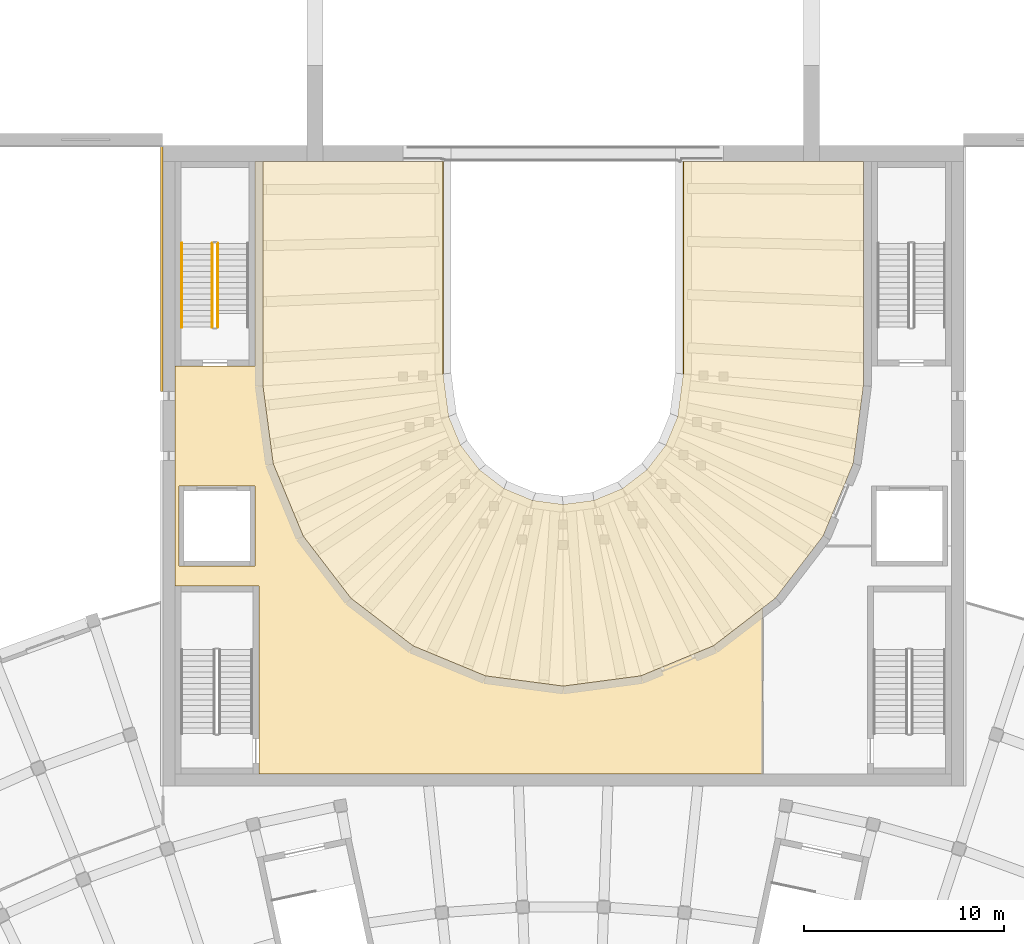
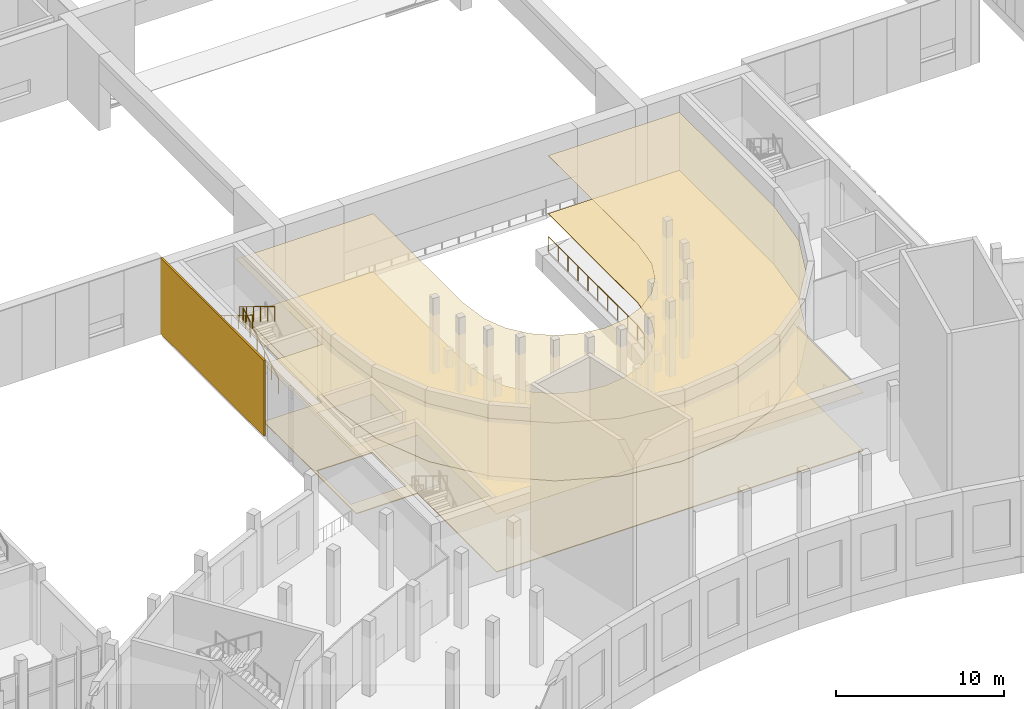
# One storey, part 68 of 87: 5 coverings, 4 railings.
"""IFC4 building model written with IfcOpenShell, lengths in metres."""

from ifc_helpers import new_model, si_unit, direction, frame, origin, origin_2d, place, context, subcontext, project, spatial, polyline, rectangle, circle, outline, extrude, material, layer, layer_set, type_object, element, save


model = new_model("IFC4")

# Units and contexts
model_context = context("Model", 3, precision=1e-05, world=origin(), true_north=direction((0.0, 1.0)))
body_context = subcontext(model_context, "Body", "Model", "MODEL_VIEW")
ifc_project = project(units=[si_unit("LENGTHUNIT", "METRE"), si_unit("AREAUNIT", "SQUARE_METRE"), si_unit("VOLUMEUNIT", "CUBIC_METRE"), si_unit("PLANEANGLEUNIT", "RADIAN"), si_unit("MASSUNIT", "GRAM", prefix="KILO")], contexts=[model_context])

# Site, building, storey
site_placement = place(None, origin())
site = spatial("IfcSite", under=ifc_project, at=site_placement, CompositionType="ELEMENT")
building_placement = place(site_placement, origin())
building = spatial("IfcBuilding", under=site, at=building_placement, Name="Lunette Opera House", CompositionType="ELEMENT")
storey_placement = place(building_placement, frame((0.0, 0.0, 11.5)))
storey = spatial("IfcBuildingStorey", under=building, at=storey_placement, Name="L02", CompositionType="ELEMENT", Elevation=11.5)

# Covering
ifc_material_1 = material(Name="Clinker brick", Category="masonry")
ifc_layer_1 = layer(ifc_material_1, 0.114990234375)
ifc_layer_set_1 = layer_set([ifc_layer_1], Name="Clinker brick")
covering_type_1 = type_object("IfcCoveringType", Name="CLINKER CLADDING 115", PredefinedType="CLADDING", material=ifc_layer_set_1)
covering_1_placement = place(storey_placement, frame((75.94189453125, 89.862060546875, 0.0), z_axis=(0.0, 0.0, 1.0), x_axis=(1.0, 0.0, 0.0)))
element("IfcCovering", 1, at=covering_1_placement, inside=storey, type_object=covering_type_1, Name="Clinker cladding WL L02 3", PredefinedType="CLADDING", context=body_context, shape_type="SweptSolid", body=[
    extrude(rectangle(XDim=0.114990234375, YDim=12.27490234375, at=origin_2d()), origin(), (0.0, 0.0, 1.0), 5.5),
])

# Railings
ifc_material_2 = material(Name="Steel S355", Category="steel")
railing_type_1 = type_object("IfcRailingType", Name="STAIR GUARD 1100", PredefinedType="GUARDRAIL", material=ifc_material_2)
railing_1_placement = place(storey_placement, frame((78.72998046875, 86.919921875, 0.171875)))
element("IfcRailing", 2, at=railing_1_placement, inside=storey, type_object=railing_type_1, Name="L02 ST10 stair guard 1", PredefinedType="GUARDRAIL", context=body_context, shape_type="SweptSolid", body=[
    extrude(circle(Radius=0.02392578125, at=origin_2d()), frame((0.0, 0.0, 1.076171875), z_axis=(0.0, 0.852256472501, 0.523124177495), x_axis=(-1.0, 0.0, 0.0)), (0.0, 0.0, 1.0), 4.92822265625),
    extrude(circle(Radius=0.02099609375, at=origin_2d()), origin(), (0.0, 0.0, 1.0), 1.052001953125),
    extrude(circle(Radius=0.02099609375, at=origin_2d()), frame((0.0, 0.840087890625, 0.515625)), (0.0, 0.0, 1.0), 1.052001953125),
    extrude(circle(Radius=0.02099609375, at=origin_2d()), frame((0.0, 1.68017578125, 1.03125)), (0.0, 0.0, 1.0), 1.052001953125),
    extrude(circle(Radius=0.02099609375, at=origin_2d()), frame((0.0, 2.52001953125, 1.546875)), (0.0, 0.0, 1.0), 1.052001953125),
    extrude(circle(Radius=0.02099609375, at=origin_2d()), frame((0.0, 3.360107421875, 2.0625)), (0.0, 0.0, 1.0), 1.052001953125),
    extrude(circle(Radius=0.02099609375, at=origin_2d()), frame((0.0, 4.2001953125, 2.578125)), (0.0, 0.0, 1.0), 1.052001953125),
])
railing_2_placement = place(storey_placement, frame((78.469970703125, 91.1201171875, 2.921875)))
element("IfcRailing", 3, at=railing_2_placement, inside=storey, type_object=railing_type_1, Name="L02 ST10 stair guard 3", PredefinedType="GUARDRAIL", context=body_context, shape_type="SweptSolid", body=[
    extrude(circle(Radius=0.02392578125, at=origin_2d()), frame((0.0, 0.0, 1.076171875), z_axis=(0.0, -0.852256472501, 0.523124177495), x_axis=(1.0, 0.0, 0.0)), (0.0, 0.0, 1.0), 4.92822265625),
    extrude(circle(Radius=0.02099609375, at=origin_2d()), origin(), (0.0, 0.0, 1.0), 1.052001953125),
    extrude(circle(Radius=0.02099609375, at=origin_2d()), frame((0.0, -0.840087890625, 0.515625)), (0.0, 0.0, 1.0), 1.052001953125),
    extrude(circle(Radius=0.02099609375, at=origin_2d()), frame((0.0, -1.68017578125, 1.03125)), (0.0, 0.0, 1.0), 1.052001953125),
    extrude(circle(Radius=0.02099609375, at=origin_2d()), frame((0.0, -2.52001953125, 1.546875)), (0.0, 0.0, 1.0), 1.052001953125),
    extrude(circle(Radius=0.02099609375, at=origin_2d()), frame((0.0, -3.360107421875, 2.0625)), (0.0, 0.0, 1.0), 1.052001953125),
    extrude(circle(Radius=0.02099609375, at=origin_2d()), frame((0.0, -4.2001953125, 2.578125)), (0.0, 0.0, 1.0), 1.052001953125),
])
ifc_material_3 = material(Name="Steel S355", Category="steel")
railing_type_2 = type_object("IfcRailingType", Name="STAIR HANDRAIL 1000", PredefinedType="HANDRAIL", material=ifc_material_3)
railing_3_placement = place(storey_placement, frame((76.949951171875, 91.1201171875, 2.921875)))
element("IfcRailing", 4, at=railing_3_placement, inside=storey, type_object=railing_type_2, Name="L02 ST10 stair handrail 2", PredefinedType="HANDRAIL", context=body_context, shape_type="SweptSolid", body=[
    extrude(circle(Radius=0.02392578125, at=origin_2d()), frame((0.0, 0.0, 0.97607421875), z_axis=(0.0, -0.852256472501, 0.523124177495), x_axis=(1.0, 0.0, 0.0)), (0.0, 0.0, 1.0), 4.92822265625),
    extrude(circle(Radius=0.02099609375, at=origin_2d()), origin(), (0.0, 0.0, 1.0), 0.951904296875),
    extrude(circle(Radius=0.02099609375, at=origin_2d()), frame((0.0, -0.840087890625, 0.515625)), (0.0, 0.0, 1.0), 0.951904296875),
    extrude(circle(Radius=0.02099609375, at=origin_2d()), frame((0.0, -1.68017578125, 1.03125)), (0.0, 0.0, 1.0), 0.951904296875),
    extrude(circle(Radius=0.02099609375, at=origin_2d()), frame((0.0, -2.52001953125, 1.546875)), (0.0, 0.0, 1.0), 0.951904296875),
    extrude(circle(Radius=0.02099609375, at=origin_2d()), frame((0.0, -3.360107421875, 2.0625)), (0.0, 0.0, 1.0), 0.951904296875),
    extrude(circle(Radius=0.02099609375, at=origin_2d()), frame((0.0, -4.2001953125, 2.578125)), (0.0, 0.0, 1.0), 0.951904296875),
])

# Coverings
ifc_material_4 = material(Name="Mineral fibre board")
ifc_layer_2 = layer(ifc_material_4, 0.014892578125)
ifc_layer_set_2 = layer_set([ifc_layer_2], Name="Mineral fibre board")
covering_type_2 = type_object("IfcCoveringType", Name="SUSPENDED ACOUSTIC CEILING 15", PredefinedType="CEILING", material=ifc_layer_set_2)
covering_2_placement = place(storey_placement, frame((0.0, 0.0, 4.235107421875)))
element("IfcCovering", 5, at=covering_2_placement, inside=storey, type_object=covering_type_2, Name="Ceiling Auditorium First Tier", PredefinedType="CEILING", context=body_context, shape_type="SweptSolid", body=[
    extrude(outline(polyline([(111.0, 84.0), (110.489013671875, 80.117919921875), (108.989990234375, 76.5), (106.60693359375, 73.39306640625), (103.5, 71.010009765625), (99.882080078125, 69.510986328125), (96.0, 69.0), (92.117919921875, 69.510986328125), (88.5, 71.010009765625), (85.39306640625, 73.39306640625), (83.010009765625, 76.5), (81.510986328125, 80.117919921875), (81.0, 84.0), (81.0, 95.199951171875), (90.0, 95.199951171875), (90.0, 84.590087890625), (90.279052734375, 82.467041015625), (90.87109375, 81.0390625), (91.81201171875, 79.81201171875), (93.0390625, 78.87109375), (94.467041015625, 78.279052734375), (96.0, 78.077880859375), (97.532958984375, 78.279052734375), (98.9609375, 78.87109375), (100.18798828125, 79.81201171875), (101.12890625, 81.0390625), (101.720947265625, 82.467041015625), (102.0, 84.590087890625), (102.0, 95.199951171875), (111.0, 95.199951171875), (111.0, 84.0)])), origin(), (0.0, 0.0, 1.0), 0.014892578125),
])
covering_3_placement = place(storey_placement, frame((0.0, 0.0, 4.235107421875)))
element("IfcCovering", 6, at=covering_3_placement, inside=storey, type_object=covering_type_2, Name="Ceiling First Tier Promenade", PredefinedType="CEILING", context=body_context, shape_type="SweptSolid", body=[
    extrude(outline(polyline([(80.800048828125, 74.0), (76.60009765625, 74.0), (76.60009765625, 85.0), (80.60009765625, 85.0), (80.60009765625, 95.199951171875), (81.0, 95.199951171875), (81.0, 84.0), (81.510986328125, 80.117919921875), (83.010009765625, 76.5), (85.39306640625, 73.39306640625), (88.5, 71.010009765625), (92.117919921875, 69.510986328125), (96.0, 69.0), (99.882080078125, 69.510986328125), (103.5, 71.010009765625), (105.945068359375, 72.885009765625), (105.945068359375, 64.60009765625), (80.800048828125, 64.60009765625), (80.800048828125, 74.0)]), holes=[polyline([(80.60009765625, 79.0), (76.800048828125, 79.0), (76.800048828125, 75.0), (80.60009765625, 75.0), (80.60009765625, 79.0)])]), origin(), (0.0, 0.0, 1.0), 0.014892578125),
])
ifc_material_5 = material(Name="Terrazzo")
ifc_layer_3 = layer(ifc_material_5, 0.06005859375)
ifc_layer_set_3 = layer_set([ifc_layer_3], Name="Terrazzo")
covering_type_3 = type_object("IfcCoveringType", Name="TERRAZZO FLOOR FINISH 60", PredefinedType="FLOORING", material=ifc_layer_set_3)
covering_4_placement = place(storey_placement, origin())
element("IfcCovering", 7, at=covering_4_placement, inside=storey, type_object=covering_type_3, Name="Floor finish First Tier Promenade", PredefinedType="FLOORING", context=body_context, shape_type="SweptSolid", body=[
    extrude(outline(polyline([(80.800048828125, 74.0), (76.60009765625, 74.0), (76.60009765625, 85.0), (80.60009765625, 85.0), (80.60009765625, 95.199951171875), (81.0, 95.199951171875), (81.0, 84.0), (81.510986328125, 80.117919921875), (83.010009765625, 76.5), (85.39306640625, 73.39306640625), (88.5, 71.010009765625), (92.117919921875, 69.510986328125), (96.0, 69.0), (99.882080078125, 69.510986328125), (103.5, 71.010009765625), (105.945068359375, 72.885009765625), (105.945068359375, 64.60009765625), (80.800048828125, 64.60009765625), (80.800048828125, 74.0)]), holes=[polyline([(80.60009765625, 79.0), (76.800048828125, 79.0), (76.800048828125, 75.0), (80.60009765625, 75.0), (80.60009765625, 79.0)])]), origin(), (0.0, 0.0, 1.0), 0.06005859375),
])

# Railing
ifc_material_6 = material(Name="Steel S355", Category="steel")
railing_type_3 = type_object("IfcRailingType", Name="TIER BALUSTRADE 1100", PredefinedType="BALUSTRADE", material=ifc_material_6)
railing_4_placement = place(storey_placement, frame((90.0, 95.199951171875, -2.699951171875)))
element("IfcRailing", 8, at=railing_4_placement, inside=storey, type_object=railing_type_3, Name="Tier front balustrade 1", PredefinedType="BALUSTRADE", context=body_context, shape_type="SweptSolid", body=[
    extrude(circle(Radius=0.02392578125, at=origin_2d()), frame((0.0, 0.0, 1.076171875), z_axis=(0.0, -1.0, 0.0), x_axis=(1.0, 0.0, 0.0)), (0.0, 0.0, 1.0), 10.60986328125),
    extrude(circle(Radius=0.02392578125, at=origin_2d()), frame((0.0, -10.60986328125, 1.076171875), z_axis=(0.130318842353, -0.991472137444, 0.0), x_axis=(0.991472137444, 0.130318842353, 0.0)), (0.0, 0.0, 1.0), 2.141357421875),
    extrude(circle(Radius=0.02392578125, at=origin_2d()), frame((0.279052734375, -12.73291015625, 1.076171875), z_axis=(0.382988727019, -0.92375301622, 0.0), x_axis=(0.92375301622, 0.382988727019, 0.0)), (0.0, 0.0, 1.0), 1.5458984375),
    extrude(circle(Radius=0.02392578125, at=origin_2d()), frame((0.87109375, -14.160888671875, 1.076171875), z_axis=(0.608504463961, -0.793550450406, 0.0), x_axis=(0.793550450406, 0.608504463961, 0.0)), (0.0, 0.0, 1.0), 1.54638671875),
    extrude(circle(Radius=0.02392578125, at=origin_2d()), frame((1.81201171875, -15.387939453125, 1.076171875), z_axis=(0.793550450406, -0.608504463961, 0.0), x_axis=(0.608504463961, 0.793550450406, 0.0)), (0.0, 0.0, 1.0), 1.54638671875),
    extrude(circle(Radius=0.02392578125, at=origin_2d()), frame((3.0390625, -16.328857421875, 1.076171875), z_axis=(0.92375301622, -0.382988727019, 0.0), x_axis=(0.382988727019, 0.92375301622, 0.0)), (0.0, 0.0, 1.0), 1.5458984375),
    extrude(circle(Radius=0.02392578125, at=origin_2d()), frame((4.467041015625, -16.9208984375, 1.076171875), z_axis=(0.991498847145, -0.130115472217, 0.0), x_axis=(0.130115472217, 0.991498847145, 0.0)), (0.0, 0.0, 1.0), 1.546142578125),
    extrude(circle(Radius=0.02392578125, at=origin_2d()), frame((6.0, -17.1220703125, 1.076171875), z_axis=(0.991498847145, 0.130115472217, 0.0), x_axis=(-0.130115472217, 0.991498847145, 0.0)), (0.0, 0.0, 1.0), 1.546142578125),
    extrude(circle(Radius=0.02392578125, at=origin_2d()), frame((7.532958984375, -16.9208984375, 1.076171875), z_axis=(0.92375301622, 0.382988727019, 0.0), x_axis=(-0.382988727019, 0.92375301622, 0.0)), (0.0, 0.0, 1.0), 1.5458984375),
    extrude(circle(Radius=0.02392578125, at=origin_2d()), frame((8.9609375, -16.328857421875, 1.076171875), z_axis=(0.793550450406, 0.608504463961, 0.0), x_axis=(-0.608504463961, 0.793550450406, 0.0)), (0.0, 0.0, 1.0), 1.54638671875),
    extrude(circle(Radius=0.02392578125, at=origin_2d()), frame((10.18798828125, -15.387939453125, 1.076171875), z_axis=(0.608504463961, 0.793550450406, 0.0), x_axis=(-0.793550450406, 0.608504463961, 0.0)), (0.0, 0.0, 1.0), 1.54638671875),
    extrude(circle(Radius=0.02392578125, at=origin_2d()), frame((11.12890625, -14.160888671875, 1.076171875), z_axis=(0.382988727019, 0.92375301622, 0.0), x_axis=(-0.92375301622, 0.382988727019, 0.0)), (0.0, 0.0, 1.0), 1.5458984375),
    extrude(circle(Radius=0.02392578125, at=origin_2d()), frame((11.720947265625, -12.73291015625, 1.076171875), z_axis=(0.130318842353, 0.991472137444, 0.0), x_axis=(-0.991472137444, 0.130318842353, 0.0)), (0.0, 0.0, 1.0), 2.141357421875),
    extrude(circle(Radius=0.02392578125, at=origin_2d()), frame((12.0, -10.60986328125, 1.076171875), z_axis=(0.0, 1.0, 0.0), x_axis=(-1.0, 0.0, 0.0)), (0.0, 0.0, 1.0), 10.60986328125),
    extrude(circle(Radius=0.02099609375, at=origin_2d()), origin(), (0.0, 0.0, 1.0), 1.052001953125),
    extrude(circle(Radius=0.02099609375, at=origin_2d()), frame((0.0, -1.178955078125, 0.0)), (0.0, 0.0, 1.0), 1.052001953125),
    extrude(circle(Radius=0.02099609375, at=origin_2d()), frame((0.0, -2.357666015625, 0.0)), (0.0, 0.0, 1.0), 1.052001953125),
    extrude(circle(Radius=0.02099609375, at=origin_2d()), frame((0.0, -3.53662109375, 0.0)), (0.0, 0.0, 1.0), 1.052001953125),
    extrude(circle(Radius=0.02099609375, at=origin_2d()), frame((0.0, -4.715576171875, 0.0)), (0.0, 0.0, 1.0), 1.052001953125),
    extrude(circle(Radius=0.02099609375, at=origin_2d()), frame((0.0, -5.894287109375, 0.0)), (0.0, 0.0, 1.0), 1.052001953125),
    extrude(circle(Radius=0.02099609375, at=origin_2d()), frame((0.0, -7.0732421875, 0.0)), (0.0, 0.0, 1.0), 1.052001953125),
    extrude(circle(Radius=0.02099609375, at=origin_2d()), frame((0.0, -8.252197265625, 0.0)), (0.0, 0.0, 1.0), 1.052001953125),
    extrude(circle(Radius=0.02099609375, at=origin_2d()), frame((0.0, -9.430908203125, 0.0)), (0.0, 0.0, 1.0), 1.052001953125),
    extrude(circle(Radius=0.02099609375, at=origin_2d()), frame((0.0, -10.60986328125, 0.0)), (0.0, 0.0, 1.0), 1.052001953125),
    extrude(circle(Radius=0.02099609375, at=origin_2d()), frame((0.1396484375, -11.67138671875, 0.0)), (0.0, 0.0, 1.0), 1.052001953125),
    extrude(circle(Radius=0.02099609375, at=origin_2d()), frame((0.279052734375, -12.73291015625, 0.0)), (0.0, 0.0, 1.0), 1.052001953125),
    extrude(circle(Radius=0.02099609375, at=origin_2d()), frame((0.5751953125, -13.44677734375, 0.0)), (0.0, 0.0, 1.0), 1.052001953125),
    extrude(circle(Radius=0.02099609375, at=origin_2d()), frame((0.87109375, -14.160888671875, 0.0)), (0.0, 0.0, 1.0), 1.052001953125),
    extrude(circle(Radius=0.02099609375, at=origin_2d()), frame((1.341552734375, -14.7744140625, 0.0)), (0.0, 0.0, 1.0), 1.052001953125),
    extrude(circle(Radius=0.02099609375, at=origin_2d()), frame((1.81201171875, -15.387939453125, 0.0)), (0.0, 0.0, 1.0), 1.052001953125),
    extrude(circle(Radius=0.02099609375, at=origin_2d()), frame((2.425537109375, -15.8583984375, 0.0)), (0.0, 0.0, 1.0), 1.052001953125),
    extrude(circle(Radius=0.02099609375, at=origin_2d()), frame((3.0390625, -16.328857421875, 0.0)), (0.0, 0.0, 1.0), 1.052001953125),
    extrude(circle(Radius=0.02099609375, at=origin_2d()), frame((3.7529296875, -16.625, 0.0)), (0.0, 0.0, 1.0), 1.052001953125),
    extrude(circle(Radius=0.02099609375, at=origin_2d()), frame((4.467041015625, -16.9208984375, 0.0)), (0.0, 0.0, 1.0), 1.052001953125),
    extrude(circle(Radius=0.02099609375, at=origin_2d()), frame((5.2333984375, -17.021484375, 0.0)), (0.0, 0.0, 1.0), 1.052001953125),
    extrude(circle(Radius=0.02099609375, at=origin_2d()), frame((6.0, -17.1220703125, 0.0)), (0.0, 0.0, 1.0), 1.052001953125),
    extrude(circle(Radius=0.02099609375, at=origin_2d()), frame((6.7666015625, -17.021484375, 0.0)), (0.0, 0.0, 1.0), 1.052001953125),
    extrude(circle(Radius=0.02099609375, at=origin_2d()), frame((7.532958984375, -16.9208984375, 0.0)), (0.0, 0.0, 1.0), 1.052001953125),
    extrude(circle(Radius=0.02099609375, at=origin_2d()), frame((8.2470703125, -16.625, 0.0)), (0.0, 0.0, 1.0), 1.052001953125),
    extrude(circle(Radius=0.02099609375, at=origin_2d()), frame((8.9609375, -16.328857421875, 0.0)), (0.0, 0.0, 1.0), 1.052001953125),
    extrude(circle(Radius=0.02099609375, at=origin_2d()), frame((9.574462890625, -15.8583984375, 0.0)), (0.0, 0.0, 1.0), 1.052001953125),
    extrude(circle(Radius=0.02099609375, at=origin_2d()), frame((10.18798828125, -15.387939453125, 0.0)), (0.0, 0.0, 1.0), 1.052001953125),
    extrude(circle(Radius=0.02099609375, at=origin_2d()), frame((10.658447265625, -14.7744140625, 0.0)), (0.0, 0.0, 1.0), 1.052001953125),
    extrude(circle(Radius=0.02099609375, at=origin_2d()), frame((11.12890625, -14.160888671875, 0.0)), (0.0, 0.0, 1.0), 1.052001953125),
    extrude(circle(Radius=0.02099609375, at=origin_2d()), frame((11.4248046875, -13.44677734375, 0.0)), (0.0, 0.0, 1.0), 1.052001953125),
    extrude(circle(Radius=0.02099609375, at=origin_2d()), frame((11.720947265625, -12.73291015625, 0.0)), (0.0, 0.0, 1.0), 1.052001953125),
    extrude(circle(Radius=0.02099609375, at=origin_2d()), frame((11.8603515625, -11.67138671875, 0.0)), (0.0, 0.0, 1.0), 1.052001953125),
    extrude(circle(Radius=0.02099609375, at=origin_2d()), frame((12.0, -10.60986328125, 0.0)), (0.0, 0.0, 1.0), 1.052001953125),
    extrude(circle(Radius=0.02099609375, at=origin_2d()), frame((12.0, -9.430908203125, 0.0)), (0.0, 0.0, 1.0), 1.052001953125),
    extrude(circle(Radius=0.02099609375, at=origin_2d()), frame((12.0, -8.252197265625, 0.0)), (0.0, 0.0, 1.0), 1.052001953125),
    extrude(circle(Radius=0.02099609375, at=origin_2d()), frame((12.0, -7.0732421875, 0.0)), (0.0, 0.0, 1.0), 1.052001953125),
    extrude(circle(Radius=0.02099609375, at=origin_2d()), frame((12.0, -5.894287109375, 0.0)), (0.0, 0.0, 1.0), 1.052001953125),
    extrude(circle(Radius=0.02099609375, at=origin_2d()), frame((12.0, -4.715576171875, 0.0)), (0.0, 0.0, 1.0), 1.052001953125),
    extrude(circle(Radius=0.02099609375, at=origin_2d()), frame((12.0, -3.53662109375, 0.0)), (0.0, 0.0, 1.0), 1.052001953125),
    extrude(circle(Radius=0.02099609375, at=origin_2d()), frame((12.0, -2.357666015625, 0.0)), (0.0, 0.0, 1.0), 1.052001953125),
    extrude(circle(Radius=0.02099609375, at=origin_2d()), frame((12.0, -1.178955078125, 0.0)), (0.0, 0.0, 1.0), 1.052001953125),
    extrude(circle(Radius=0.02099609375, at=origin_2d()), frame((12.0, 0.0, 0.0)), (0.0, 0.0, 1.0), 1.052001953125),
])

# Covering
ifc_material_7 = material(Name="Timber", Category="wood")
ifc_layer_4 = layer(ifc_material_7, 0.0400390625)
ifc_layer_set_4 = layer_set([ifc_layer_4], Name="Timber")
covering_type_4 = type_object("IfcCoveringType", Name="TIMBER FLOOR FINISH 40", PredefinedType="FLOORING", material=ifc_layer_set_4)
covering_5_placement = place(storey_placement, origin())
element("IfcCovering", 9, at=covering_5_placement, inside=storey, type_object=covering_type_4, Name="Floor finish Auditorium First Tier", PredefinedType="FLOORING", context=body_context, shape_type="SweptSolid", body=[
    extrude(outline(polyline([(111.0, 84.0), (110.489013671875, 80.117919921875), (108.989990234375, 76.5), (106.60693359375, 73.39306640625), (103.5, 71.010009765625), (99.882080078125, 69.510986328125), (96.0, 69.0), (92.117919921875, 69.510986328125), (88.5, 71.010009765625), (85.39306640625, 73.39306640625), (83.010009765625, 76.5), (81.510986328125, 80.117919921875), (81.0, 84.0), (81.0, 95.199951171875), (90.0, 95.199951171875), (90.0, 84.590087890625), (90.279052734375, 82.467041015625), (90.87109375, 81.0390625), (91.81201171875, 79.81201171875), (93.0390625, 78.87109375), (94.467041015625, 78.279052734375), (96.0, 78.077880859375), (97.532958984375, 78.279052734375), (98.9609375, 78.87109375), (100.18798828125, 79.81201171875), (101.12890625, 81.0390625), (101.720947265625, 82.467041015625), (102.0, 84.590087890625), (102.0, 95.199951171875), (111.0, 95.199951171875), (111.0, 84.0)])), origin(), (0.0, 0.0, 1.0), 0.0400390625),
])

save(model, "model.ifc")
